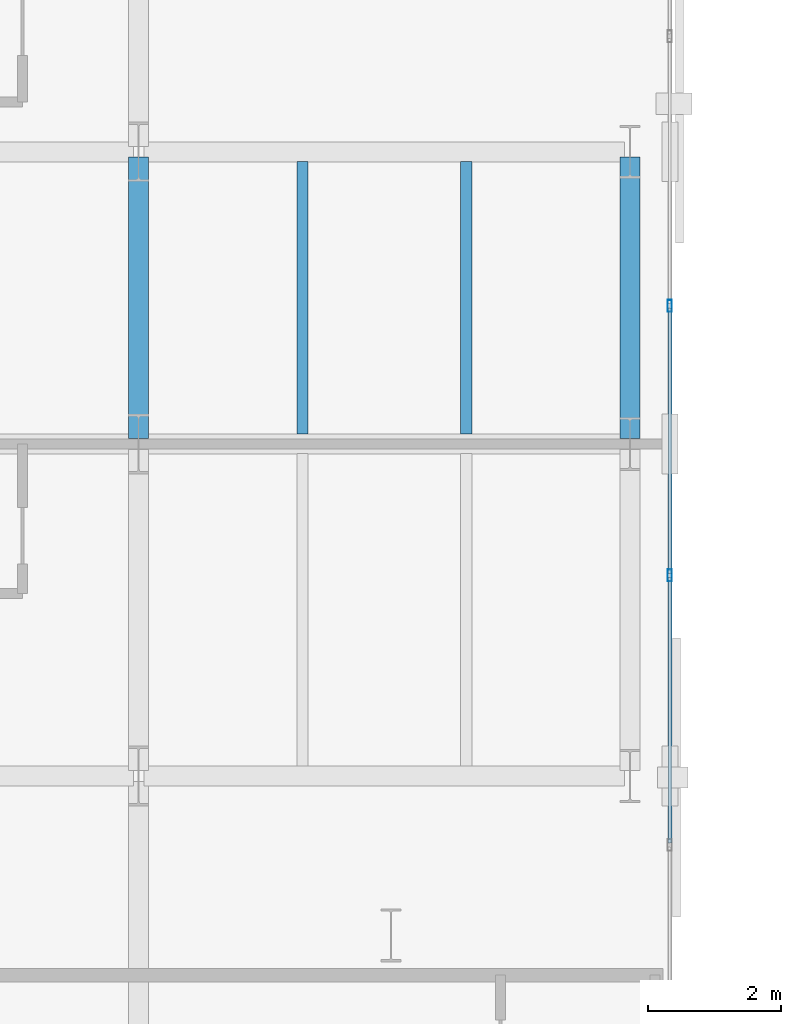
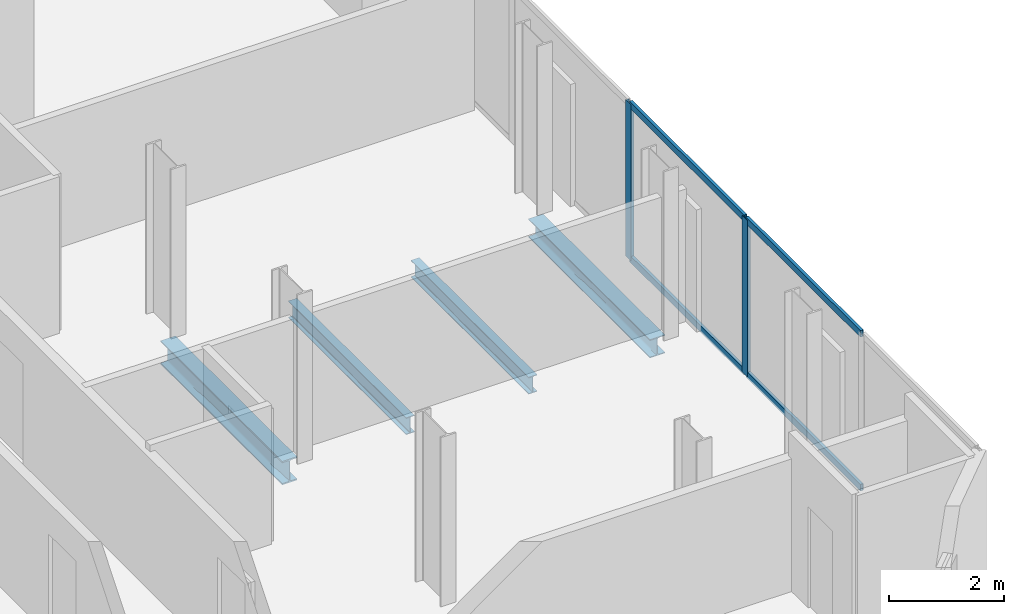
# One storey, part 8 of 32: 6 members, 4 beams, 1 element without a shape of its own.
"""IFC4 building model written with IfcOpenShell, lengths in metres."""

from ifc_helpers import new_model, si_unit, direction, frame, origin, origin_2d, place, context, subcontext, project, spatial, hollow_rectangle, i_section, extrude, material, layer, layer_set, material_profile, profile_set, type_object, element, aggregate, save


model = new_model("IFC4")

# Units and contexts
model_context = context("Model", 3, precision=1e-05, world=origin(), true_north=direction((0.0, 1.0)))
body_context = subcontext(model_context, "Body", "Model", "MODEL_VIEW")
ifc_project = project(units=[si_unit("LENGTHUNIT", "METRE"), si_unit("AREAUNIT", "SQUARE_METRE"), si_unit("VOLUMEUNIT", "CUBIC_METRE"), si_unit("PLANEANGLEUNIT", "RADIAN"), si_unit("MASSUNIT", "GRAM", prefix="KILO")], contexts=[model_context])

# Site, building, storey
site_placement = place(None, origin())
site = spatial("IfcSite", under=ifc_project, at=site_placement, CompositionType="ELEMENT")
building_placement = place(site_placement, origin())
building = spatial("IfcBuilding", under=site, at=building_placement, Name="Catumbela Crestline Tower", CompositionType="ELEMENT")
storey_placement = place(building_placement, frame((0.0, 0.0, 61.8)))
storey = spatial("IfcBuildingStorey", under=building, at=storey_placement, Name="L15", CompositionType="ELEMENT", Elevation=61.8)

# Beams
ifc_material_1 = material(Name="Structural steel S355J2", Category="steel")
ifc_material_profile_1 = material_profile(ifc_material_1, i_section(OverallWidth=0.3, OverallDepth=0.5, WebThickness=0.0145, FlangeThickness=0.028, FilletRadius=0.027, at=origin_2d()), Name="HEB 500")
ifc_profile_set_1 = profile_set([ifc_material_profile_1], Name="Structural steel S355J2")
beam_type_1 = type_object("IfcBeamType", Name="BG-HEB500", PredefinedType="BEAM", material=ifc_profile_set_1)
beam_1_placement = place(storey_placement, frame((16.0, 13.68, -0.51), z_axis=(0.0, 1.0, 0.0), x_axis=(-1.0, 0.0, 0.0)))
element("IfcBeam", 1, at=beam_1_placement, inside=storey, type_object=beam_type_1, Name="L15 Beam BM-L15-WNS66", PredefinedType="BEAM", context=body_context, shape_type="SweptSolid", body=[
    extrude(i_section(OverallWidth=0.3, OverallDepth=0.5, WebThickness=0.0145, FlangeThickness=0.028, FilletRadius=0.027, at=origin_2d()), origin(), (0.0, 0.0, 1.0), 4.24),
])
ifc_material_profile_2 = material_profile(ifc_material_1, i_section(OverallWidth=0.17, OverallDepth=0.36, WebThickness=0.008, FlangeThickness=0.0127, FilletRadius=0.018, at=origin_2d()), Name="IPE 360")
ifc_profile_set_2 = profile_set([ifc_material_profile_2], Name="Structural steel S355J2")
beam_type_2 = type_object("IfcBeamType", Name="BJ-IPE360", PredefinedType="JOIST", material=ifc_profile_set_2)
for number, where, z_axis, x_axis, name in (
    (2, (18.467, 13.747, -0.44), (0.0, 1.0, 0.0), (-1.0, 0.0, 0.0), "L15 Joist JS-L15-WG80"),
    (3, (20.933, 13.747, -0.44), (0.0, 1.0, 0.0), (-1.0, 0.0, 0.0), "L15 Joist JS-L15-WG81"),
):
    element("IfcBeam", number, at=place(storey_placement, frame(where, z_axis=z_axis, x_axis=x_axis)), inside=storey, type_object=beam_type_2, Name=name, PredefinedType="JOIST", context=body_context, shape_type="SweptSolid", body=[
        extrude(i_section(OverallWidth=0.17, OverallDepth=0.36, WebThickness=0.008, FlangeThickness=0.0127, FilletRadius=0.018, at=origin_2d()), origin(), (0.0, 0.0, 1.0), 4.106),
    ])

# Curtain wall, members
ifc_material_2 = material(Name="Aluminium alloy AW-6060-T66", Category="aluminium")
ifc_layer = layer(ifc_material_2, 0.18, Name="Aluminium alloy AW-6060-T66")
ifc_layer_set = layer_set([ifc_layer], Name="Aluminium alloy AW-6060-T66")
curtain_wall_type = type_object("IfcCurtainWallType", Name="CWU-Z1", PredefinedType="USERDEFINED", material=ifc_layer_set)
curtain_wall_placement = place(storey_placement, origin())
curtain_wall = element("IfcCurtainWall", 4, at=curtain_wall_placement, inside=storey, type_object=curtain_wall_type, Name="L15 Unitised Curtain Wall CW-L15-E2S1", ObjectType="UNITISED", PredefinedType="USERDEFINED")
ifc_material_profile_3 = material_profile(ifc_material_2, hollow_rectangle(XDim=0.065, YDim=0.18, WallThickness=0.004, at=origin_2d()), Name="ALU 180x65x4")
ifc_profile_set_3 = profile_set([ifc_material_profile_3], Name="Aluminium alloy AW-6060-T66")
member_type_1 = type_object("IfcMemberType", Name="MUL-180X65", PredefinedType="MULLION", material=ifc_profile_set_3)
member_1_placement = place(storey_placement, frame((24.0, 11.62, 0.0), z_axis=(0.0, 0.0, 1.0), x_axis=(-1.0, 0.0, 0.0)))
member_1 = element("IfcMember", 5, at=member_1_placement, type_object=member_type_1, Name="CWU-Z1 mullion 3", PredefinedType="MULLION", context=body_context, shape_type="SweptSolid", body=[
    extrude(hollow_rectangle(XDim=0.065, YDim=0.18, WallThickness=0.004, at=origin_2d()), origin(), (0.0, 0.0, 1.0), 3.33),
])
member_2_placement = place(storey_placement, frame((24.0, 15.68, 0.0), z_axis=(0.0, 0.0, 1.0), x_axis=(-1.0, 0.0, 0.0)))
member_2 = element("IfcMember", 6, at=member_2_placement, type_object=member_type_1, Name="CWU-Z1 mullion 4", PredefinedType="MULLION", context=body_context, shape_type="SweptSolid", body=[
    extrude(hollow_rectangle(XDim=0.065, YDim=0.18, WallThickness=0.004, at=origin_2d()), origin(), (0.0, 0.0, 1.0), 3.33),
])

# Beam
ifc_material_profile_4 = material_profile(ifc_material_1, i_section(OverallWidth=0.3, OverallDepth=0.39, WebThickness=0.011, FlangeThickness=0.019, FilletRadius=0.027, at=origin_2d()), Name="HEA 400")
ifc_profile_set_4 = profile_set([ifc_material_profile_4], Name="Structural steel S355J2")
beam_type_3 = type_object("IfcBeamType", Name="BS-HEA400", PredefinedType="SPANDREL", material=ifc_profile_set_4)
beam_2_placement = place(storey_placement, frame((23.4, 13.68, -0.455), z_axis=(0.0, 1.0, 0.0), x_axis=(-1.0, 0.0, 0.0)))
element("IfcBeam", 7, at=beam_2_placement, inside=storey, type_object=beam_type_3, Name="L15 Spandrel SP-L15-WNS69", PredefinedType="SPANDREL", context=body_context, shape_type="SweptSolid", body=[
    extrude(i_section(OverallWidth=0.3, OverallDepth=0.39, WebThickness=0.011, FlangeThickness=0.019, FilletRadius=0.027, at=origin_2d()), origin(), (0.0, 0.0, 1.0), 4.24),
])

# Member
ifc_material_profile_5 = material_profile(ifc_material_2, hollow_rectangle(XDim=0.06, YDim=0.14, WallThickness=0.004, at=origin_2d()), Name="ALU 140x60x4")
ifc_profile_set_5 = profile_set([ifc_material_profile_5], Name="Aluminium alloy AW-6060-T66")
member_type_2 = type_object("IfcMemberType", Name="TRN-140X60", PredefinedType="USERDEFINED", material=ifc_profile_set_5)
member_3_placement = place(storey_placement, frame((24.0, 7.5925, 0.03), z_axis=(0.0, 1.0, 0.0), x_axis=(-1.0, 0.0, 0.0)))
member_3 = element("IfcMember", 8, at=member_3_placement, type_object=member_type_2, Name="CWU-Z1 transom 2.1", ObjectType="TRANSOM", PredefinedType="USERDEFINED", context=body_context, shape_type="SweptSolid", body=[
    extrude(hollow_rectangle(XDim=0.06, YDim=0.14, WallThickness=0.004, at=origin_2d()), origin(), (0.0, 0.0, 1.0), 3.995),
])

member_4_placement = place(storey_placement, frame((24.0, 7.5925, 3.3), z_axis=(0.0, 1.0, 0.0), x_axis=(-1.0, 0.0, 0.0)))
member_4 = element("IfcMember", 9, at=member_4_placement, type_object=member_type_2, Name="CWU-Z1 transom 2.2", ObjectType="TRANSOM", PredefinedType="USERDEFINED", context=body_context, shape_type="SweptSolid", body=[
    extrude(hollow_rectangle(XDim=0.06, YDim=0.14, WallThickness=0.004, at=origin_2d()), origin(), (0.0, 0.0, 1.0), 3.995),
])

member_5_placement = place(storey_placement, frame((24.0, 11.6525, 0.03), z_axis=(0.0, 1.0, 0.0), x_axis=(-1.0, 0.0, 0.0)))
member_5 = element("IfcMember", 10, at=member_5_placement, type_object=member_type_2, Name="CWU-Z1 transom 3.1", ObjectType="TRANSOM", PredefinedType="USERDEFINED", context=body_context, shape_type="SweptSolid", body=[
    extrude(hollow_rectangle(XDim=0.06, YDim=0.14, WallThickness=0.004, at=origin_2d()), origin(), (0.0, 0.0, 1.0), 3.995),
])

member_6_placement = place(storey_placement, frame((24.0, 11.6525, 3.3), z_axis=(0.0, 1.0, 0.0), x_axis=(-1.0, 0.0, 0.0)))
member_6 = element("IfcMember", 11, at=member_6_placement, type_object=member_type_2, Name="CWU-Z1 transom 3.2", ObjectType="TRANSOM", PredefinedType="USERDEFINED", context=body_context, shape_type="SweptSolid", body=[
    extrude(hollow_rectangle(XDim=0.06, YDim=0.14, WallThickness=0.004, at=origin_2d()), origin(), (0.0, 0.0, 1.0), 3.995),
])

aggregate(curtain_wall, [member_1, member_2, member_3, member_4, member_5, member_6])

save(model, "model.ifc")
